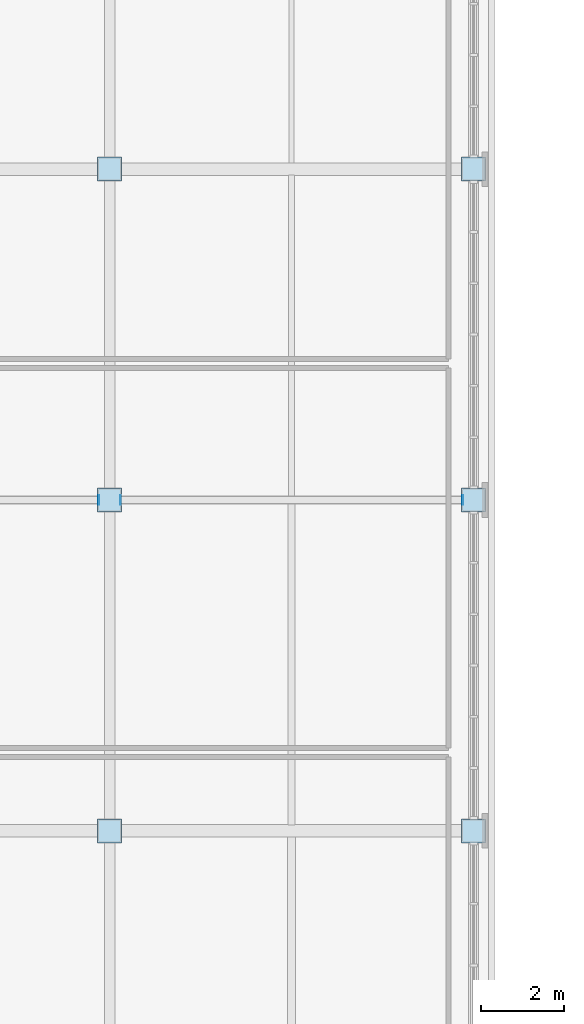
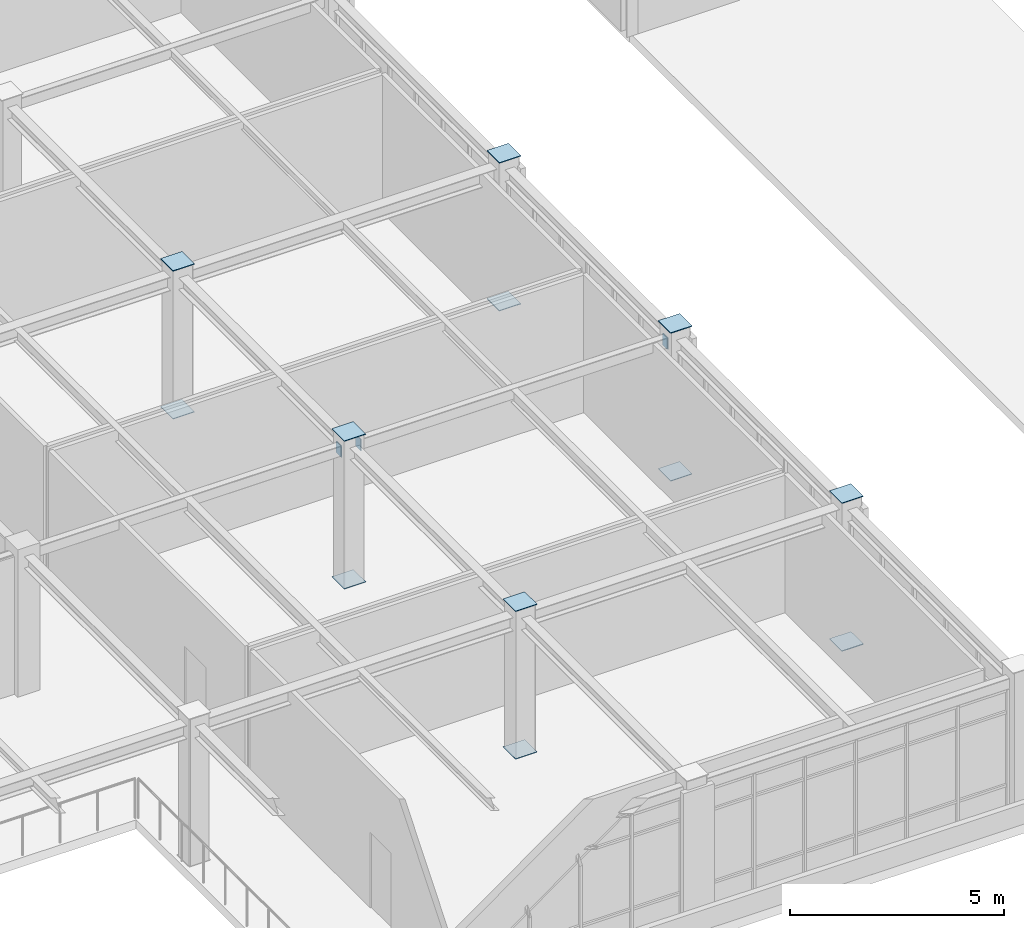
# One storey, part 53 of 88: 15 plates.
"""IFC4 building model written with IfcOpenShell, lengths in metres."""

from ifc_helpers import new_model, si_unit, direction, frame, origin, origin_2d, place, context, subcontext, project, spatial, rectangle, extrude, material, layer, layer_set, type_object, element, save


model = new_model("IFC4")

# Units and contexts
model_context = context("Model", 3, precision=1e-05, world=origin(), true_north=direction((0.0, 1.0)))
body_context = subcontext(model_context, "Body", "Model", "MODEL_VIEW")
ifc_project = project(units=[si_unit("LENGTHUNIT", "METRE"), si_unit("AREAUNIT", "SQUARE_METRE"), si_unit("VOLUMEUNIT", "CUBIC_METRE"), si_unit("PLANEANGLEUNIT", "RADIAN"), si_unit("MASSUNIT", "GRAM", prefix="KILO")], contexts=[model_context])

# Site, building, storey
site_placement = place(None, origin())
site = spatial("IfcSite", under=ifc_project, at=site_placement, CompositionType="ELEMENT")
building_placement = place(site_placement, origin())
building = spatial("IfcBuilding", under=site, at=building_placement, Name="Zhaolan Boulevard Law Courts", CompositionType="ELEMENT")
storey_placement = place(building_placement, frame((0.0, 0.0, 16.199951171875)))
storey = spatial("IfcBuildingStorey", under=building, at=storey_placement, Name="L03", CompositionType="ELEMENT", Elevation=16.199951171875)

# Plates
ifc_material = material(Name="Structural steel Q355B", Category="steel")
ifc_layer = layer(ifc_material, 0.02001953125)
ifc_layer_set = layer_set([ifc_layer])
plate_type = type_object("IfcPlateType", Name="END CAP PLATE 20", PredefinedType="SHEET", material=ifc_layer_set)
for number, where, z_axis, x_axis, name in (
    (1, (35.199951171875, 38.0, -0.01806640625), (0.0, 0.0, 1.0), (1.0, 0.0, 0.0), "Hollow Section End-Cap Plate ECP-0385"),
    (2, (35.199951171875, 38.0, 4.197998046875), (0.0, 0.0, 1.0), (1.0, 0.0, 0.0), "Hollow Section End-Cap Plate ECP-0386"),
    (3, (35.199951171875, 46.0, -0.01806640625), (0.0, 0.0, 1.0), (1.0, 0.0, 0.0), "Hollow Section End-Cap Plate ECP-0407"),
    (4, (35.199951171875, 46.0, 4.197998046875), (0.0, 0.0, 1.0), (1.0, 0.0, 0.0), "Hollow Section End-Cap Plate ECP-0408"),
    (5, (35.199951171875, 54.0, -0.01806640625), (0.0, 0.0, 1.0), (1.0, 0.0, 0.0), "Hollow Section End-Cap Plate ECP-0429"),
    (6, (35.199951171875, 54.0, 4.197998046875), (0.0, 0.0, 1.0), (1.0, 0.0, 0.0), "Hollow Section End-Cap Plate ECP-0430"),
    (7, (44.0, 38.0, -0.01806640625), (0.0, 0.0, 1.0), (1.0, 0.0, 0.0), "Hollow Section End-Cap Plate ECP-0513"),
    (8, (44.0, 38.0, 4.197998046875), (0.0, 0.0, 1.0), (1.0, 0.0, 0.0), "Hollow Section End-Cap Plate ECP-0514"),
    (9, (44.0, 46.0, -0.01806640625), (0.0, 0.0, 1.0), (1.0, 0.0, 0.0), "Hollow Section End-Cap Plate ECP-0531"),
    (10, (44.0, 46.0, 4.197998046875), (0.0, 0.0, 1.0), (1.0, 0.0, 0.0), "Hollow Section End-Cap Plate ECP-0532"),
    (11, (44.0, 54.0, -0.01806640625), (0.0, 0.0, 1.0), (1.0, 0.0, 0.0), "Hollow Section End-Cap Plate ECP-0549"),
    (12, (44.0, 54.0, 4.197998046875), (0.0, 0.0, 1.0), (1.0, 0.0, 0.0), "Hollow Section End-Cap Plate ECP-0550"),
):
    element("IfcPlate", number, at=place(storey_placement, frame(where, z_axis=z_axis, x_axis=x_axis)), inside=storey, type_object=plate_type, Name=name, PredefinedType="SHEET", context=body_context, shape_type="SweptSolid", body=[
        extrude(rectangle(XDim=0.580078125, YDim=0.580078125, at=origin_2d()), origin(), (0.0, 0.0, 1.0), 0.02001953125),
    ])
for number, where, z_axis, x_axis, name in (
    (13, (34.93701171875, 46.0, 3.633056640625), (0.0, 0.0, 1.0), (1.0, 0.0, 0.0), "Hollow Section End-Cap Plate ECP-0894"),
    (14, (35.462890625, 46.0, 3.633056640625), (0.0, 0.0, 1.0), (1.0, 0.0, 0.0), "Hollow Section End-Cap Plate ECP-0895"),
    (15, (43.737060546875, 46.0, 3.633056640625), (0.0, 0.0, 1.0), (1.0, 0.0, 0.0), "Hollow Section End-Cap Plate ECP-0896"),
):
    element("IfcPlate", number, at=place(storey_placement, frame(where, z_axis=z_axis, x_axis=x_axis)), inside=storey, type_object=plate_type, Name=name, PredefinedType="SHEET", context=body_context, shape_type="SweptSolid", body=[
        extrude(rectangle(XDim=0.02001953125, YDim=0.22998046875, at=origin_2d()), origin(), (0.0, 0.0, 1.0), 0.330078125),
    ])

save(model, "model.ifc")
